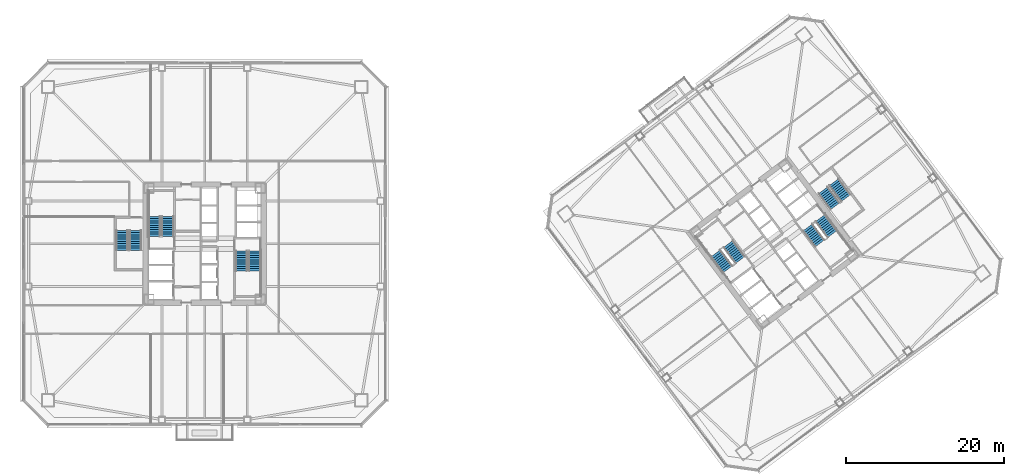
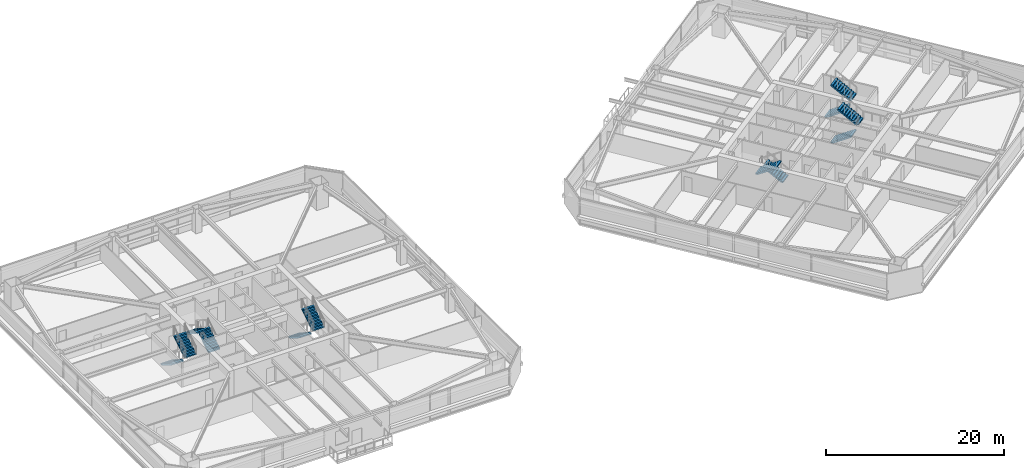
# One storey, part 37 of 45: 12 stair flights, 6 elements without a shape of their own.
"""IFC4 building model written with IfcOpenShell, lengths in metres."""

from ifc_helpers import new_model, si_unit, direction, frame, origin, place, context, subcontext, project, spatial, polyline, outline, extrude, material, type_object, element, aggregate, save


model = new_model("IFC4")

# Units and contexts
model_context = context("Model", 3, precision=1e-05, world=origin(), true_north=direction((0.0, 1.0)))
body_context = subcontext(model_context, "Body", "Model", "MODEL_VIEW")
ifc_project = project(units=[si_unit("LENGTHUNIT", "METRE"), si_unit("AREAUNIT", "SQUARE_METRE"), si_unit("VOLUMEUNIT", "CUBIC_METRE"), si_unit("PLANEANGLEUNIT", "RADIAN"), si_unit("MASSUNIT", "GRAM", prefix="KILO")], contexts=[model_context])

# Site, building, storey
site_placement = place(None, origin())
site = spatial("IfcSite", under=ifc_project, at=site_placement, CompositionType="ELEMENT")
building_placement = place(site_placement, origin())
building = spatial("IfcBuilding", under=site, at=building_placement, Name="Tashvorn Skyway Center", CompositionType="ELEMENT")
storey_placement = place(building_placement, frame((0.0, 0.0, 35.25)))
storey = spatial("IfcBuildingStorey", under=building, at=storey_placement, Name="L08", CompositionType="ELEMENT", Elevation=35.25)

# Stair, stair flights
ifc_material = material(Name="Concrete C40/50", Category="concrete")
stair_type = type_object("IfcStairType", Name="STAIR-CORE-1500", PredefinedType="HALF_TURN_STAIR", material=ifc_material)
stair_1_placement = place(storey_placement, origin())
stair_1 = element("IfcStair", 1, at=stair_1_placement, inside=storey, type_object=stair_type, Name="L08 Tower 1 Exit Stair 1", PredefinedType="HALF_TURN_STAIR")
stair_flight_type = type_object("IfcStairFlightType", Name="SFLIGHT-1500", PredefinedType="STRAIGHT", material=ifc_material)
stair_flight_1_placement = place(storey_placement, frame((37.35009765625, 32.919921875, 0.0), z_axis=(0.0, 0.0, 1.0), x_axis=(0.0, 1.0, 0.0)))
stair_flight_1 = element("IfcStairFlight", 2, at=stair_flight_1_placement, type_object=stair_flight_type, Name="ST-T1-1 flight 1", NumberOfRisers=10, NumberOfTreads=9, PredefinedType="STRAIGHT", RiserHeight=0.1775, TreadLength=0.28, context=body_context, shape_type="SweptSolid", body=[
    extrude(outline(polyline([(0.0, 0.0), (0.0, 0.177490234375), (0.280029296875, 0.177490234375), (0.280029296875, 0.35498046875), (0.56005859375, 0.35498046875), (0.56005859375, 0.532470703125), (0.840087890625, 0.532470703125), (0.840087890625, 0.7099609375), (1.1201171875, 0.7099609375), (1.1201171875, 0.887451171875), (1.39990234375, 0.887451171875), (1.39990234375, 1.06494140625), (1.679931640625, 1.06494140625), (1.679931640625, 1.242431640625), (1.9599609375, 1.242431640625), (1.9599609375, 1.419921875), (2.239990234375, 1.419921875), (2.239990234375, 1.597412109375), (2.52001953125, 1.597412109375), (2.52001953125, 1.77490234375), (2.52001953125, 1.419921875), (0.280029296875, 0.0), (0.0, 0.0)])), frame((0.0, 0.75, 0.0), z_axis=(0.0, -1.0, 0.0), x_axis=(1.0, 0.0, 0.0)), (0.0, 0.0, 1.0), 1.5),
])
stair_flight_2_placement = place(storey_placement, frame((35.64990234375, 35.43994140625, 1.77490234375), z_axis=(0.0, 0.0, 1.0), x_axis=(0.0, -1.0, 0.0)))
stair_flight_2 = element("IfcStairFlight", 3, at=stair_flight_2_placement, type_object=stair_flight_type, Name="ST-T1-1 flight 2", NumberOfRisers=10, NumberOfTreads=9, PredefinedType="STRAIGHT", RiserHeight=0.1775, TreadLength=0.28, context=body_context, shape_type="SweptSolid", body=[
    extrude(outline(polyline([(0.0, 0.0), (0.0, 0.177490234375), (0.280029296875, 0.177490234375), (0.280029296875, 0.35498046875), (0.56005859375, 0.35498046875), (0.56005859375, 0.532470703125), (0.840087890625, 0.532470703125), (0.840087890625, 0.7099609375), (1.1201171875, 0.7099609375), (1.1201171875, 0.887451171875), (1.39990234375, 0.887451171875), (1.39990234375, 1.06494140625), (1.679931640625, 1.06494140625), (1.679931640625, 1.242431640625), (1.9599609375, 1.242431640625), (1.9599609375, 1.419921875), (2.239990234375, 1.419921875), (2.239990234375, 1.597412109375), (2.52001953125, 1.597412109375), (2.52001953125, 1.77490234375), (2.52001953125, 1.419921875), (0.280029296875, 0.0), (0.0, 0.0)])), frame((0.0, 0.75, 0.0), z_axis=(0.0, -1.0, 0.0), x_axis=(1.0, 0.0, 0.0)), (0.0, 0.0, 1.0), 1.5),
])
aggregate(stair_1, [stair_flight_1, stair_flight_2])

stair_2_placement = place(storey_placement, origin())
stair_2 = element("IfcStair", 4, at=stair_2_placement, inside=storey, type_object=stair_type, Name="L08 Tower 1 Exit Stair 2", PredefinedType="HALF_TURN_STAIR")
stair_flight_3_placement = place(storey_placement, frame((46.64990234375, 31.080078125, 0.0), z_axis=(0.0, 0.0, 1.0), x_axis=(0.0, -1.0, 0.0)))
stair_flight_3 = element("IfcStairFlight", 5, at=stair_flight_3_placement, type_object=stair_flight_type, Name="ST-T1-2 flight 1", NumberOfRisers=10, NumberOfTreads=9, PredefinedType="STRAIGHT", RiserHeight=0.1775, TreadLength=0.28, context=body_context, shape_type="SweptSolid", body=[
    extrude(outline(polyline([(0.0, 0.0), (0.0, 0.177490234375), (0.280029296875, 0.177490234375), (0.280029296875, 0.35498046875), (0.56005859375, 0.35498046875), (0.56005859375, 0.532470703125), (0.840087890625, 0.532470703125), (0.840087890625, 0.7099609375), (1.1201171875, 0.7099609375), (1.1201171875, 0.887451171875), (1.39990234375, 0.887451171875), (1.39990234375, 1.06494140625), (1.679931640625, 1.06494140625), (1.679931640625, 1.242431640625), (1.9599609375, 1.242431640625), (1.9599609375, 1.419921875), (2.239990234375, 1.419921875), (2.239990234375, 1.597412109375), (2.52001953125, 1.597412109375), (2.52001953125, 1.77490234375), (2.52001953125, 1.419921875), (0.280029296875, 0.0), (0.0, 0.0)])), frame((0.0, 0.75, 0.0), z_axis=(0.0, -1.0, 0.0), x_axis=(1.0, 0.0, 0.0)), (0.0, 0.0, 1.0), 1.5),
])
stair_flight_4_placement = place(storey_placement, frame((48.35009765625, 28.56005859375, 1.77490234375), z_axis=(0.0, 0.0, 1.0), x_axis=(0.0, 1.0, 0.0)))
stair_flight_4 = element("IfcStairFlight", 6, at=stair_flight_4_placement, type_object=stair_flight_type, Name="ST-T1-2 flight 2", NumberOfRisers=10, NumberOfTreads=9, PredefinedType="STRAIGHT", RiserHeight=0.1775, TreadLength=0.28, context=body_context, shape_type="SweptSolid", body=[
    extrude(outline(polyline([(0.0, 0.0), (0.0, 0.177490234375), (0.280029296875, 0.177490234375), (0.280029296875, 0.35498046875), (0.56005859375, 0.35498046875), (0.56005859375, 0.532470703125), (0.840087890625, 0.532470703125), (0.840087890625, 0.7099609375), (1.1201171875, 0.7099609375), (1.1201171875, 0.887451171875), (1.39990234375, 0.887451171875), (1.39990234375, 1.06494140625), (1.679931640625, 1.06494140625), (1.679931640625, 1.242431640625), (1.9599609375, 1.242431640625), (1.9599609375, 1.419921875), (2.239990234375, 1.419921875), (2.239990234375, 1.597412109375), (2.52001953125, 1.597412109375), (2.52001953125, 1.77490234375), (2.52001953125, 1.419921875), (0.280029296875, 0.0), (0.0, 0.0)])), frame((0.0, 0.75, 0.0), z_axis=(0.0, -1.0, 0.0), x_axis=(1.0, 0.0, 0.0)), (0.0, 0.0, 1.0), 1.5),
])
aggregate(stair_2, [stair_flight_3, stair_flight_4])

stair_3_placement = place(storey_placement, origin())
stair_3 = element("IfcStair", 7, at=stair_3_placement, inside=storey, type_object=stair_type, Name="L08 Tower 2 Exit Stair 1", PredefinedType="HALF_TURN_STAIR")
stair_flight_5_placement = place(storey_placement, frame((109.72802734375, 29.946044921875, 0.0), z_axis=(0.0, 0.0, 1.0), x_axis=(-0.600000004945, 0.799999996291, 0.0)))
stair_flight_5 = element("IfcStairFlight", 8, at=stair_flight_5_placement, type_object=stair_flight_type, Name="ST-T2-1 flight 1", NumberOfRisers=10, NumberOfTreads=9, PredefinedType="STRAIGHT", RiserHeight=0.1775, TreadLength=0.28, context=body_context, shape_type="SweptSolid", body=[
    extrude(outline(polyline([(0.0, 0.0), (0.0, 0.177490234375), (0.280029296875, 0.177490234375), (0.280029296875, 0.35498046875), (0.56005859375, 0.35498046875), (0.56005859375, 0.532470703125), (0.840087890625, 0.532470703125), (0.840087890625, 0.7099609375), (1.1201171875, 0.7099609375), (1.1201171875, 0.887451171875), (1.39990234375, 0.887451171875), (1.39990234375, 1.06494140625), (1.679931640625, 1.06494140625), (1.679931640625, 1.242431640625), (1.9599609375, 1.242431640625), (1.9599609375, 1.419921875), (2.239990234375, 1.419921875), (2.239990234375, 1.597412109375), (2.52001953125, 1.597412109375), (2.52001953125, 1.77490234375), (2.52001953125, 1.419921875), (0.280029296875, 0.0), (0.0, 0.0)])), frame((0.0, 0.75, 0.0), z_axis=(0.0, -1.0, 0.0), x_axis=(1.0, 0.0, 0.0)), (0.0, 0.0, 1.0), 1.5),
])
stair_flight_6_placement = place(storey_placement, frame((106.632080078125, 30.77392578125, 1.77490234375), z_axis=(0.0, 0.0, 1.0), x_axis=(0.600000004945, -0.799999996291, 0.0)))
stair_flight_6 = element("IfcStairFlight", 9, at=stair_flight_6_placement, type_object=stair_flight_type, Name="ST-T2-1 flight 2", NumberOfRisers=10, NumberOfTreads=9, PredefinedType="STRAIGHT", RiserHeight=0.1775, TreadLength=0.28, context=body_context, shape_type="SweptSolid", body=[
    extrude(outline(polyline([(0.0, 0.0), (0.0, 0.177490234375), (0.280029296875, 0.177490234375), (0.280029296875, 0.35498046875), (0.56005859375, 0.35498046875), (0.56005859375, 0.532470703125), (0.840087890625, 0.532470703125), (0.840087890625, 0.7099609375), (1.1201171875, 0.7099609375), (1.1201171875, 0.887451171875), (1.39990234375, 0.887451171875), (1.39990234375, 1.06494140625), (1.679931640625, 1.06494140625), (1.679931640625, 1.242431640625), (1.9599609375, 1.242431640625), (1.9599609375, 1.419921875), (2.239990234375, 1.419921875), (2.239990234375, 1.597412109375), (2.52001953125, 1.597412109375), (2.52001953125, 1.77490234375), (2.52001953125, 1.419921875), (0.280029296875, 0.0), (0.0, 0.0)])), frame((0.0, 0.75, 0.0), z_axis=(0.0, -1.0, 0.0), x_axis=(1.0, 0.0, 0.0)), (0.0, 0.0, 1.0), 1.5),
])
aggregate(stair_3, [stair_flight_5, stair_flight_6])

stair_4_placement = place(storey_placement, origin())
stair_4 = element("IfcStair", 10, at=stair_4_placement, inside=storey, type_object=stair_type, Name="L08 Tower 2 Exit Stair 2", PredefinedType="HALF_TURN_STAIR")
stair_flight_7_placement = place(storey_placement, frame((118.27197265625, 34.053955078125, 0.0), z_axis=(0.0, 0.0, 1.0), x_axis=(0.600000004945, -0.799999996291, 0.0)))
stair_flight_7 = element("IfcStairFlight", 11, at=stair_flight_7_placement, type_object=stair_flight_type, Name="ST-T2-2 flight 1", NumberOfRisers=10, NumberOfTreads=9, PredefinedType="STRAIGHT", RiserHeight=0.1775, TreadLength=0.28, context=body_context, shape_type="SweptSolid", body=[
    extrude(outline(polyline([(0.0, 0.0), (0.0, 0.177490234375), (0.280029296875, 0.177490234375), (0.280029296875, 0.35498046875), (0.56005859375, 0.35498046875), (0.56005859375, 0.532470703125), (0.840087890625, 0.532470703125), (0.840087890625, 0.7099609375), (1.1201171875, 0.7099609375), (1.1201171875, 0.887451171875), (1.39990234375, 0.887451171875), (1.39990234375, 1.06494140625), (1.679931640625, 1.06494140625), (1.679931640625, 1.242431640625), (1.9599609375, 1.242431640625), (1.9599609375, 1.419921875), (2.239990234375, 1.419921875), (2.239990234375, 1.597412109375), (2.52001953125, 1.597412109375), (2.52001953125, 1.77490234375), (2.52001953125, 1.419921875), (0.280029296875, 0.0), (0.0, 0.0)])), frame((0.0, 0.75, 0.0), z_axis=(0.0, -1.0, 0.0), x_axis=(1.0, 0.0, 0.0)), (0.0, 0.0, 1.0), 1.5),
])
stair_flight_8_placement = place(storey_placement, frame((121.367919921875, 33.22607421875, 1.77490234375), z_axis=(0.0, 0.0, 1.0), x_axis=(-0.600000004945, 0.799999996291, 0.0)))
stair_flight_8 = element("IfcStairFlight", 12, at=stair_flight_8_placement, type_object=stair_flight_type, Name="ST-T2-2 flight 2", NumberOfRisers=10, NumberOfTreads=9, PredefinedType="STRAIGHT", RiserHeight=0.1775, TreadLength=0.28, context=body_context, shape_type="SweptSolid", body=[
    extrude(outline(polyline([(0.0, 0.0), (0.0, 0.177490234375), (0.280029296875, 0.177490234375), (0.280029296875, 0.35498046875), (0.56005859375, 0.35498046875), (0.56005859375, 0.532470703125), (0.840087890625, 0.532470703125), (0.840087890625, 0.7099609375), (1.1201171875, 0.7099609375), (1.1201171875, 0.887451171875), (1.39990234375, 0.887451171875), (1.39990234375, 1.06494140625), (1.679931640625, 1.06494140625), (1.679931640625, 1.242431640625), (1.9599609375, 1.242431640625), (1.9599609375, 1.419921875), (2.239990234375, 1.419921875), (2.239990234375, 1.597412109375), (2.52001953125, 1.597412109375), (2.52001953125, 1.77490234375), (2.52001953125, 1.419921875), (0.280029296875, 0.0), (0.0, 0.0)])), frame((0.0, 0.75, 0.0), z_axis=(0.0, -1.0, 0.0), x_axis=(1.0, 0.0, 0.0)), (0.0, 0.0, 1.0), 1.5),
])
aggregate(stair_4, [stair_flight_7, stair_flight_8])

stair_5_placement = place(storey_placement, origin())
stair_5 = element("IfcStair", 13, at=stair_5_placement, inside=storey, type_object=stair_type, Name="L08 Tower 1 Exit Stair 3", PredefinedType="HALF_TURN_STAIR")
stair_flight_9_placement = place(storey_placement, frame((31.550048828125, 33.679931640625, 0.0), z_axis=(0.0, 0.0, 1.0), x_axis=(0.0, -1.0, 0.0)))
stair_flight_9 = element("IfcStairFlight", 14, at=stair_flight_9_placement, type_object=stair_flight_type, Name="ST-T1-3 flight 1", NumberOfRisers=10, NumberOfTreads=9, PredefinedType="STRAIGHT", RiserHeight=0.1775, TreadLength=0.28, context=body_context, shape_type="SweptSolid", body=[
    extrude(outline(polyline([(0.0, 0.0), (0.0, 0.177490234375), (0.280029296875, 0.177490234375), (0.280029296875, 0.35498046875), (0.56005859375, 0.35498046875), (0.56005859375, 0.532470703125), (0.840087890625, 0.532470703125), (0.840087890625, 0.7099609375), (1.1201171875, 0.7099609375), (1.1201171875, 0.887451171875), (1.39990234375, 0.887451171875), (1.39990234375, 1.06494140625), (1.679931640625, 1.06494140625), (1.679931640625, 1.242431640625), (1.9599609375, 1.242431640625), (1.9599609375, 1.419921875), (2.239990234375, 1.419921875), (2.239990234375, 1.597412109375), (2.52001953125, 1.597412109375), (2.52001953125, 1.77490234375), (2.52001953125, 1.419921875), (0.280029296875, 0.0), (0.0, 0.0)])), frame((0.0, 0.75, 0.0), z_axis=(0.0, -1.0, 0.0), x_axis=(1.0, 0.0, 0.0)), (0.0, 0.0, 1.0), 1.5),
])
stair_flight_10_placement = place(storey_placement, frame((33.25, 31.159912109375, 1.77490234375), z_axis=(0.0, 0.0, 1.0), x_axis=(0.0, 1.0, 0.0)))
stair_flight_10 = element("IfcStairFlight", 15, at=stair_flight_10_placement, type_object=stair_flight_type, Name="ST-T1-3 flight 2", NumberOfRisers=10, NumberOfTreads=9, PredefinedType="STRAIGHT", RiserHeight=0.1775, TreadLength=0.28, context=body_context, shape_type="SweptSolid", body=[
    extrude(outline(polyline([(0.0, 0.0), (0.0, 0.177490234375), (0.280029296875, 0.177490234375), (0.280029296875, 0.35498046875), (0.56005859375, 0.35498046875), (0.56005859375, 0.532470703125), (0.840087890625, 0.532470703125), (0.840087890625, 0.7099609375), (1.1201171875, 0.7099609375), (1.1201171875, 0.887451171875), (1.39990234375, 0.887451171875), (1.39990234375, 1.06494140625), (1.679931640625, 1.06494140625), (1.679931640625, 1.242431640625), (1.9599609375, 1.242431640625), (1.9599609375, 1.419921875), (2.239990234375, 1.419921875), (2.239990234375, 1.597412109375), (2.52001953125, 1.597412109375), (2.52001953125, 1.77490234375), (2.52001953125, 1.419921875), (0.280029296875, 0.0), (0.0, 0.0)])), frame((0.0, 0.75, 0.0), z_axis=(0.0, -1.0, 0.0), x_axis=(1.0, 0.0, 0.0)), (0.0, 0.0, 1.0), 1.5),
])
aggregate(stair_5, [stair_flight_9, stair_flight_10])

stair_6_placement = place(storey_placement, origin())
stair_6 = element("IfcStair", 16, at=stair_6_placement, inside=storey, type_object=stair_type, Name="L08 Tower 2 Exit Stair 3", PredefinedType="HALF_TURN_STAIR")
stair_flight_11_placement = place(storey_placement, frame((120.216064453125, 38.761962890625, 0.0), z_axis=(0.0, 0.0, 1.0), x_axis=(0.600000004945, -0.799999996291, 0.0)))
stair_flight_11 = element("IfcStairFlight", 17, at=stair_flight_11_placement, type_object=stair_flight_type, Name="ST-T2-3 flight 1", NumberOfRisers=10, NumberOfTreads=9, PredefinedType="STRAIGHT", RiserHeight=0.1775, TreadLength=0.28, context=body_context, shape_type="SweptSolid", body=[
    extrude(outline(polyline([(0.0, 0.0), (0.0, 0.177490234375), (0.280029296875, 0.177490234375), (0.280029296875, 0.35498046875), (0.56005859375, 0.35498046875), (0.56005859375, 0.532470703125), (0.840087890625, 0.532470703125), (0.840087890625, 0.7099609375), (1.1201171875, 0.7099609375), (1.1201171875, 0.887451171875), (1.39990234375, 0.887451171875), (1.39990234375, 1.06494140625), (1.679931640625, 1.06494140625), (1.679931640625, 1.242431640625), (1.9599609375, 1.242431640625), (1.9599609375, 1.419921875), (2.239990234375, 1.419921875), (2.239990234375, 1.597412109375), (2.52001953125, 1.597412109375), (2.52001953125, 1.77490234375), (2.52001953125, 1.419921875), (0.280029296875, 0.0), (0.0, 0.0)])), frame((0.0, 0.75, 0.0), z_axis=(0.0, -1.0, 0.0), x_axis=(1.0, 0.0, 0.0)), (0.0, 0.0, 1.0), 1.5),
])
stair_flight_12_placement = place(storey_placement, frame((123.087890625, 37.76611328125, 1.77490234375), z_axis=(0.0, 0.0, 1.0), x_axis=(-0.600000004945, 0.799999996291, 0.0)))
stair_flight_12 = element("IfcStairFlight", 18, at=stair_flight_12_placement, type_object=stair_flight_type, Name="ST-T2-3 flight 2", NumberOfRisers=10, NumberOfTreads=9, PredefinedType="STRAIGHT", RiserHeight=0.1775, TreadLength=0.28, context=body_context, shape_type="SweptSolid", body=[
    extrude(outline(polyline([(0.0, 0.0), (0.0, 0.177490234375), (0.280029296875, 0.177490234375), (0.280029296875, 0.35498046875), (0.56005859375, 0.35498046875), (0.56005859375, 0.532470703125), (0.840087890625, 0.532470703125), (0.840087890625, 0.7099609375), (1.1201171875, 0.7099609375), (1.1201171875, 0.887451171875), (1.39990234375, 0.887451171875), (1.39990234375, 1.06494140625), (1.679931640625, 1.06494140625), (1.679931640625, 1.242431640625), (1.9599609375, 1.242431640625), (1.9599609375, 1.419921875), (2.239990234375, 1.419921875), (2.239990234375, 1.597412109375), (2.52001953125, 1.597412109375), (2.52001953125, 1.77490234375), (2.52001953125, 1.419921875), (0.280029296875, 0.0), (0.0, 0.0)])), frame((0.0, 0.75, 0.0), z_axis=(0.0, -1.0, 0.0), x_axis=(1.0, 0.0, 0.0)), (0.0, 0.0, 1.0), 1.5),
])
aggregate(stair_6, [stair_flight_11, stair_flight_12])

save(model, "model.ifc")
